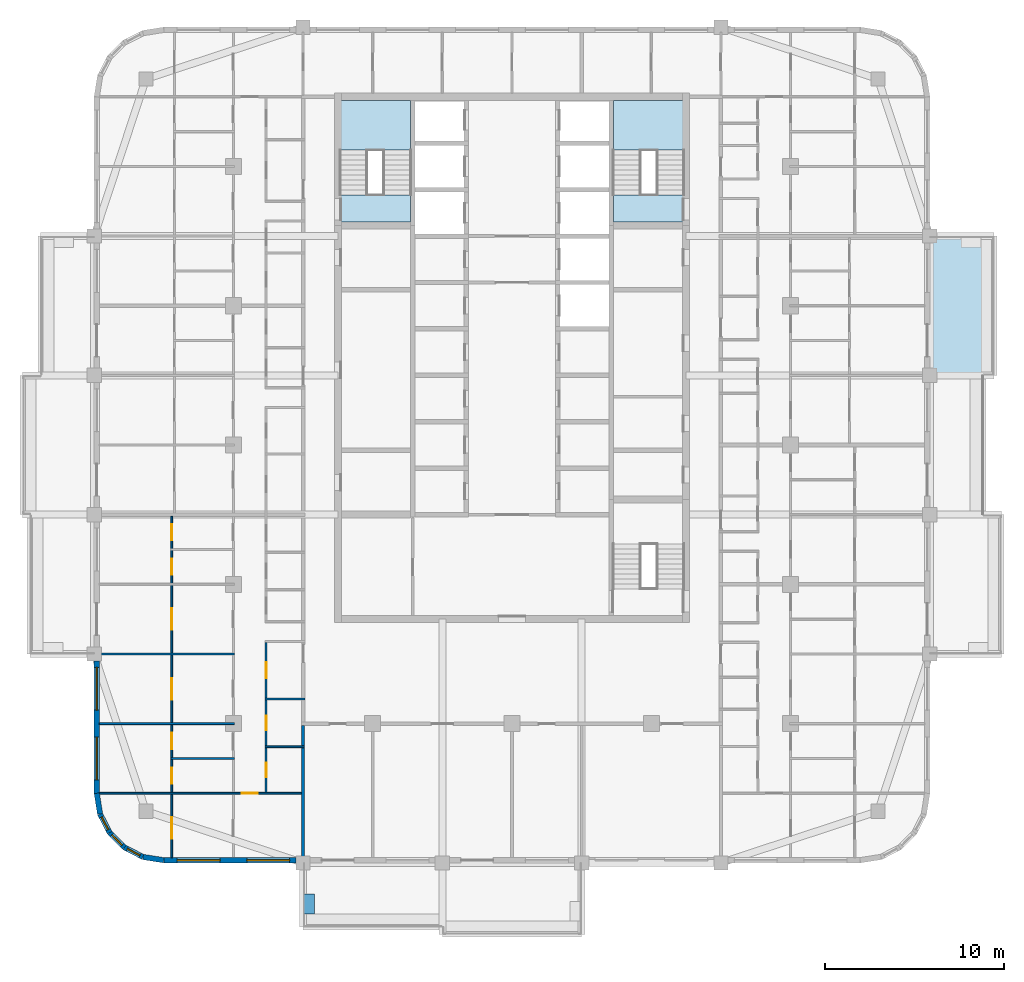
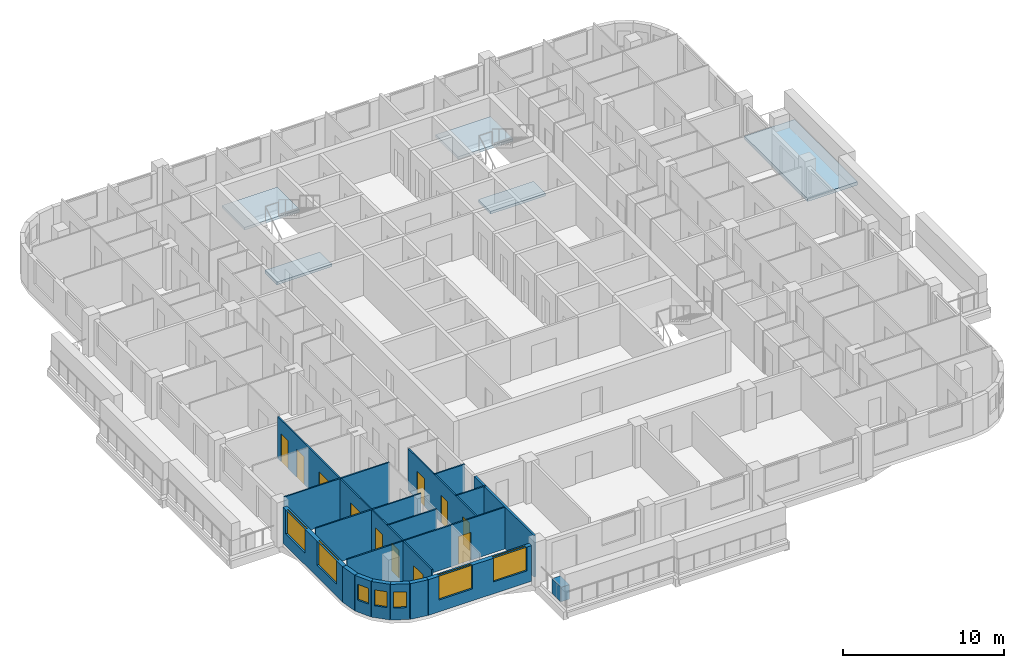
# One storey, part 2 of 16: 17 walls, 11 doors, 7 windows, 5 slabs, 18 openings, 2 elements without a shape of their own.
"""IFC4 building model written with IfcOpenShell, lengths in metres."""

from ifc_helpers import new_model, si_unit, direction, frame, frame_2d, origin, place, context, subcontext, project, spatial, polyline, rectangle, outline, extrude, material, layer, layer_set, type_object, element, fill, aggregate, save


model = new_model("IFC4")

# Units and contexts
model_context = context("Model", 3, precision=1e-05, world=origin(), true_north=direction((0.0, 1.0)))
body_context = subcontext(model_context, "Body", "Model", "MODEL_VIEW")
ifc_project = project(units=[si_unit("LENGTHUNIT", "METRE"), si_unit("AREAUNIT", "SQUARE_METRE"), si_unit("VOLUMEUNIT", "CUBIC_METRE"), si_unit("PLANEANGLEUNIT", "RADIAN"), si_unit("MASSUNIT", "GRAM", prefix="KILO")], contexts=[model_context])

# Site, building, storey
site_placement = place(None, origin())
site = spatial("IfcSite", under=ifc_project, at=site_placement, CompositionType="ELEMENT")
building_placement = place(site_placement, origin())
building = spatial("IfcBuilding", under=site, at=building_placement, Name="Ludao Terraces", CompositionType="ELEMENT")
storey_placement = place(building_placement, frame((0.0, 0.0, 217.699951171875)))
storey = spatial("IfcBuildingStorey", under=building, at=storey_placement, Name="L59", CompositionType="ELEMENT", Elevation=217.699951171875)

# Slab
ifc_material_1 = material(Name="Concrete C40", Category="concrete")
ifc_layer_1 = layer(ifc_material_1, 0.25)
ifc_layer_set_1 = layer_set([ifc_layer_1], Name="Balcony slab 250 C40")
slab_type_1 = type_object("IfcSlabType", Name="Balcony slab 250 C40", PredefinedType="USERDEFINED", material=ifc_layer_set_1)
slab_1_placement = place(storey_placement, frame((0.0, 0.0, -0.25)))
element("IfcSlab", 1, at=slab_1_placement, inside=storey, type_object=slab_type_1, Name="Balcony L59 E3", ObjectType="BALCONY", PredefinedType="USERDEFINED", context=body_context, shape_type="SweptSolid", body=[
    extrude(outline(polyline([(108.39990234375, 68.89990234375), (112.0, 68.89990234375), (112.0, 76.699951171875), (108.39990234375, 76.699951171875), (108.39990234375, 68.89990234375)])), origin(), (0.0, 0.0, 1.0), 0.25),
])

# Stair, slabs
stair_type = type_object("IfcStairType", Name="INT Stair", PredefinedType="HALF_TURN_STAIR", material=ifc_material_1)
stair_1_placement = place(storey_placement, origin())
stair_1 = element("IfcStair", 2, at=stair_1_placement, inside=storey, type_object=stair_type, Name="EXIT STAIR 1", PredefinedType="HALF_TURN_STAIR")
ifc_layer_2 = layer(ifc_material_1, 0.199951171875)
ifc_layer_set_2 = layer_set([ifc_layer_2], Name="INT Stair landing 200")
slab_type_2 = type_object("IfcSlabType", Name="INT Stair landing 200", PredefinedType="LANDING", material=ifc_layer_set_2)
slab_2_placement = place(storey_placement, frame((0.0, 0.0, 1.5)))
slab_2 = element("IfcSlab", 3, at=slab_2_placement, type_object=slab_type_2, Name="ST1 landing 1", PredefinedType="LANDING", context=body_context, shape_type="SweptSolid", body=[
    extrude(outline(polyline([(75.375, 81.52001953125), (79.324951171875, 81.52001953125), (79.324951171875, 84.300048828125), (75.375, 84.300048828125), (75.375, 81.52001953125)])), origin(), (0.0, 0.0, 1.0), 0.199951171875),
])
slab_3_placement = place(storey_placement, frame((0.0, 0.0, -0.199951171875)))
slab_3 = element("IfcSlab", 4, at=slab_3_placement, type_object=slab_type_2, Name="ST1 landing 2", PredefinedType="LANDING", context=body_context, shape_type="SweptSolid", body=[
    extrude(outline(polyline([(75.375, 77.5), (79.324951171875, 77.5), (79.324951171875, 79.0), (75.375, 79.0), (75.375, 77.5)])), origin(), (0.0, 0.0, 1.0), 0.199951171875),
])
aggregate(stair_1, [slab_2, slab_3])

stair_2_placement = place(storey_placement, origin())
stair_2 = element("IfcStair", 5, at=stair_2_placement, inside=storey, type_object=stair_type, Name="EXIT STAIR 2", PredefinedType="HALF_TURN_STAIR")
slab_4_placement = place(storey_placement, frame((0.0, 0.0, 1.5)))
slab_4 = element("IfcSlab", 6, at=slab_4_placement, type_object=slab_type_2, Name="ST2 landing 1", PredefinedType="LANDING", context=body_context, shape_type="SweptSolid", body=[
    extrude(outline(polyline([(90.675048828125, 81.52001953125), (94.625, 81.52001953125), (94.625, 84.300048828125), (90.675048828125, 84.300048828125), (90.675048828125, 81.52001953125)])), origin(), (0.0, 0.0, 1.0), 0.199951171875),
])
slab_5_placement = place(storey_placement, frame((0.0, 0.0, -0.199951171875)))
slab_5 = element("IfcSlab", 7, at=slab_5_placement, type_object=slab_type_2, Name="ST2 landing 2", PredefinedType="LANDING", context=body_context, shape_type="SweptSolid", body=[
    extrude(outline(polyline([(90.675048828125, 77.5), (94.625, 77.5), (94.625, 79.0), (90.675048828125, 79.0), (90.675048828125, 77.5)])), origin(), (0.0, 0.0, 1.0), 0.199951171875),
])
aggregate(stair_2, [slab_4, slab_5])

# Wall
ifc_layer_3 = layer(ifc_material_1, 0.60009765625)
ifc_layer_set_3 = layer_set([ifc_layer_3], Name="ENV Planter trough 600")
wall_type_1 = type_object("IfcWallType", Name="ENV Planter trough 600", PredefinedType="USERDEFINED", material=ifc_layer_set_3)
wall_1_placement = place(storey_placement, frame((73.64990234375, 38.75, 0.0), z_axis=(0.0, 0.0, 1.0), x_axis=(0.0, 1.0, 0.0)))
element("IfcWall", 8, at=wall_1_placement, inside=storey, type_object=wall_type_1, Name="PL-L59-S1-SA", ObjectType="PLANTER", PredefinedType="USERDEFINED", context=body_context, shape_type="SweptSolid", body=[
    extrude(rectangle(XDim=1.10009765625, YDim=0.60009765625, at=frame_2d((0.550048828125, 0.0))), origin(), (0.0, 0.0, 1.0), 1.10009765625),
])

# Wall, openings, windows
ifc_material_2 = material(Name="Granite cladding", Category="masonry")
ifc_layer_4 = layer(ifc_material_2, 0.0400390625, Category="stone")
ifc_material_3 = material(Name="Mineral wool")
ifc_layer_5 = layer(ifc_material_3, 0.06005859375)
ifc_layer_6 = layer(ifc_material_1, 0.199951171875, Category="concrete")
ifc_layer_set_4 = layer_set([ifc_layer_4, ifc_layer_5, ifc_layer_6], Name="ENV Stone-clad wall 300")
wall_type_2 = type_object("IfcWallType", Name="ENV Stone-clad wall 300", PredefinedType="SOLIDWALL", material=ifc_layer_set_4)
wall_2_placement = place(storey_placement, frame((65.5, 41.75, 0.0), z_axis=(0.0, 0.0, 1.0), x_axis=(1.0, 0.0, 0.0)))
wall_2 = element("IfcWall", 9, at=wall_2_placement, inside=storey, type_object=wall_type_2, Name="EW-L59-S1", PredefinedType="SOLIDWALL", context=body_context, shape_type="SweptSolid", body=[
    extrude(rectangle(XDim=7.39990234375, YDim=0.300048828125, at=frame_2d((3.699951171875, 0.0))), origin(), (0.0, 0.0, 1.0), 2.699951171875),
])
opening_1_placement = place(wall_2_placement, frame((0.75, 0.0, 0.89990234375)))
opening_1 = element("IfcOpeningElement", 10, at=opening_1_placement, cuts=wall_2, Name="Opening W1", PredefinedType="OPENING", context=body_context, shape_type="SweptSolid", body=[
    extrude(rectangle(XDim=2.39990234375, YDim=1.800048828125, at=frame_2d((1.199951171875, 0.89990234375))), frame((0.0, 0.16015625, 0.0), z_axis=(0.0, -1.0, 0.0), x_axis=(1.0, 0.0, 0.0)), (0.0, 0.0, 1.0), 0.320068359375),
])
opening_2_placement = place(wall_2_placement, frame((4.64990234375, 0.0, 0.89990234375)))
opening_2 = element("IfcOpeningElement", 11, at=opening_2_placement, cuts=wall_2, Name="Opening W1", PredefinedType="OPENING", context=body_context, shape_type="SweptSolid", body=[
    extrude(rectangle(XDim=2.39990234375, YDim=1.800048828125, at=frame_2d((1.199951171875, 0.89990234375))), frame((0.0, 0.16015625, 0.0), z_axis=(0.0, -1.0, 0.0), x_axis=(1.0, 0.0, 0.0)), (0.0, 0.0, 1.0), 0.320068359375),
])
ifc_material_4 = material(Name="Clear glass in aluminium frame", Category="aluminium")
ifc_layer_7 = layer(ifc_material_4, 0.06005859375)
ifc_layer_set_5 = layer_set([ifc_layer_7], Name="ENV Window W1 2400x1800")
window_type_1 = type_object("IfcWindowType", Name="ENV Window W1 2400x1800", PartitioningType="DOUBLE_PANEL_VERTICAL", PredefinedType="WINDOW", material=ifc_layer_set_5)
window_1_placement = place(opening_1_placement, origin())
window_1 = element("IfcWindow", 12, at=window_1_placement, inside=storey, type_object=window_type_1, Name="W-L59-S1-1", OverallHeight=1.800048828125, OverallWidth=2.39990234375, PartitioningType="DOUBLE_PANEL_VERTICAL", PredefinedType="WINDOW", context=body_context, shape_type="SweptSolid", body=[
    extrude(rectangle(XDim=2.39990234375, YDim=1.800048828125, at=frame_2d((1.199951171875, 0.89990234375))), frame((0.0, 0.030029296875, 0.0), z_axis=(0.0, -1.0, 0.0), x_axis=(1.0, 0.0, 0.0)), (0.0, 0.0, 1.0), 0.06005859375),
])
fill(opening_1, window_1)
window_2_placement = place(opening_2_placement, origin())
window_2 = element("IfcWindow", 13, at=window_2_placement, inside=storey, type_object=window_type_1, Name="W-L59-S1-2", OverallHeight=1.800048828125, OverallWidth=2.39990234375, PartitioningType="DOUBLE_PANEL_VERTICAL", PredefinedType="WINDOW", context=body_context, shape_type="SweptSolid", body=[
    extrude(rectangle(XDim=2.39990234375, YDim=1.800048828125, at=frame_2d((1.199951171875, 0.89990234375))), frame((0.0, 0.030029296875, 0.0), z_axis=(0.0, -1.0, 0.0), x_axis=(1.0, 0.0, 0.0)), (0.0, 0.0, 1.0), 0.06005859375),
])
fill(opening_2, window_2)

wall_3_placement = place(storey_placement, frame((61.75, 45.5, 0.0), z_axis=(0.0, 0.0, 1.0), x_axis=(0.0, 1.0, 0.0)))
wall_3 = element("IfcWall", 14, at=wall_3_placement, inside=storey, type_object=wall_type_2, Name="EW-L59-W1", PredefinedType="SOLIDWALL", context=body_context, shape_type="SweptSolid", body=[
    extrude(rectangle(XDim=7.39990234375, YDim=0.300048828125, at=frame_2d((3.699951171875, 0.0))), origin(), (0.0, 0.0, 1.0), 2.699951171875),
])
opening_3_placement = place(wall_3_placement, frame((0.75, 0.0, 0.89990234375)))
opening_3 = element("IfcOpeningElement", 15, at=opening_3_placement, cuts=wall_3, Name="Opening W1", PredefinedType="OPENING", context=body_context, shape_type="SweptSolid", body=[
    extrude(rectangle(XDim=2.39990234375, YDim=1.800048828125, at=frame_2d((1.199951171875, 0.89990234375))), frame((0.0, 0.16015625, 0.0), z_axis=(0.0, -1.0, 0.0), x_axis=(1.0, 0.0, 0.0)), (0.0, 0.0, 1.0), 0.320068359375),
])
opening_4_placement = place(wall_3_placement, frame((4.64990234375, 0.0, 0.89990234375)))
opening_4 = element("IfcOpeningElement", 16, at=opening_4_placement, cuts=wall_3, Name="Opening W1", PredefinedType="OPENING", context=body_context, shape_type="SweptSolid", body=[
    extrude(rectangle(XDim=2.39990234375, YDim=1.800048828125, at=frame_2d((1.199951171875, 0.89990234375))), frame((0.0, 0.16015625, 0.0), z_axis=(0.0, -1.0, 0.0), x_axis=(1.0, 0.0, 0.0)), (0.0, 0.0, 1.0), 0.320068359375),
])
window_3_placement = place(opening_3_placement, origin())
window_3 = element("IfcWindow", 17, at=window_3_placement, inside=storey, type_object=window_type_1, Name="W-L59-W1-1", OverallHeight=1.800048828125, OverallWidth=2.39990234375, PartitioningType="DOUBLE_PANEL_VERTICAL", PredefinedType="WINDOW", context=body_context, shape_type="SweptSolid", body=[
    extrude(rectangle(XDim=2.39990234375, YDim=1.800048828125, at=frame_2d((1.199951171875, 0.89990234375))), frame((0.0, 0.030029296875, 0.0), z_axis=(0.0, -1.0, 0.0), x_axis=(1.0, 0.0, 0.0)), (0.0, 0.0, 1.0), 0.06005859375),
])
fill(opening_3, window_3)
window_4_placement = place(opening_4_placement, origin())
window_4 = element("IfcWindow", 18, at=window_4_placement, inside=storey, type_object=window_type_1, Name="W-L59-W1-2", OverallHeight=1.800048828125, OverallWidth=2.39990234375, PartitioningType="DOUBLE_PANEL_VERTICAL", PredefinedType="WINDOW", context=body_context, shape_type="SweptSolid", body=[
    extrude(rectangle(XDim=2.39990234375, YDim=1.800048828125, at=frame_2d((1.199951171875, 0.89990234375))), frame((0.0, 0.030029296875, 0.0), z_axis=(0.0, -1.0, 0.0), x_axis=(1.0, 0.0, 0.0)), (0.0, 0.0, 1.0), 0.06005859375),
])
fill(opening_4, window_4)

# Wall
wall_4_placement = place(storey_placement, frame((61.75, 45.5, 0.0), z_axis=(0.0, 0.0, 1.0), x_axis=(0.156496880861, -0.987678452879, 0.0)))
element("IfcWall", 19, at=wall_4_placement, inside=storey, type_object=wall_type_2, Name="EW-L59-SW1", PredefinedType="SOLIDWALL", context=body_context, shape_type="SweptSolid", body=[
    extrude(rectangle(XDim=1.173095703125, YDim=0.300048828125, at=frame_2d((0.58642578125, 0.0))), origin(), (0.0, 0.0, 1.0), 2.699951171875),
])

# Wall, opening, window
wall_5_placement = place(storey_placement, frame((61.93359375, 44.34130859375, 0.0), z_axis=(0.0, 0.0, 1.0), x_axis=(0.454025524128, -0.890988677504, 0.0)))
wall_5 = element("IfcWall", 20, at=wall_5_placement, inside=storey, type_object=wall_type_2, Name="EW-L59-SW2", PredefinedType="SOLIDWALL", context=body_context, shape_type="SweptSolid", body=[
    extrude(rectangle(XDim=1.17333984375, YDim=0.300048828125, at=frame_2d((0.586669921875, 0.0))), origin(), (0.0, 0.0, 1.0), 2.699951171875),
])
opening_5_placement = place(wall_5_placement, frame((0.1865234375, 0.0, 0.89990234375)))
opening_5 = element("IfcOpeningElement", 21, at=opening_5_placement, cuts=wall_5, Name="Opening W3", PredefinedType="OPENING", context=body_context, shape_type="SweptSolid", body=[
    extrude(rectangle(XDim=0.800048828125, YDim=1.199951171875, at=frame_2d((0.39990234375, 0.60009765625))), frame((0.0, 0.16015625, 0.0), z_axis=(0.0, -1.0, 0.0), x_axis=(1.0, 0.0, 0.0)), (0.0, 0.0, 1.0), 0.320068359375),
])
ifc_layer_8 = layer(ifc_material_4, 0.06005859375)
ifc_layer_set_6 = layer_set([ifc_layer_8], Name="ENV Window W3 800x1200")
window_type_2 = type_object("IfcWindowType", Name="ENV Window W3 800x1200", PartitioningType="SINGLE_PANEL", PredefinedType="WINDOW", material=ifc_layer_set_6)
window_5_placement = place(opening_5_placement, origin())
window_5 = element("IfcWindow", 22, at=window_5_placement, inside=storey, type_object=window_type_2, Name="W-L59-SW2", OverallHeight=1.199951171875, OverallWidth=0.800048828125, PartitioningType="SINGLE_PANEL", PredefinedType="WINDOW", context=body_context, shape_type="SweptSolid", body=[
    extrude(rectangle(XDim=0.800048828125, YDim=1.199951171875, at=frame_2d((0.39990234375, 0.60009765625))), frame((0.0, 0.030029296875, 0.0), z_axis=(0.0, -1.0, 0.0), x_axis=(1.0, 0.0, 0.0)), (0.0, 0.0, 1.0), 0.06005859375),
])
fill(opening_5, window_5)

wall_6_placement = place(storey_placement, frame((62.46630859375, 43.2958984375, 0.0), z_axis=(0.0, 0.0, 1.0), x_axis=(0.707106781187, -0.707106781187, 0.0)))
wall_6 = element("IfcWall", 23, at=wall_6_placement, inside=storey, type_object=wall_type_2, Name="EW-L59-SW3", PredefinedType="SOLIDWALL", context=body_context, shape_type="SweptSolid", body=[
    extrude(rectangle(XDim=1.173095703125, YDim=0.300048828125, at=frame_2d((0.58642578125, 0.0))), origin(), (0.0, 0.0, 1.0), 2.699951171875),
])
opening_6_placement = place(wall_6_placement, frame((0.1865234375, 0.0, 0.89990234375)))
opening_6 = element("IfcOpeningElement", 24, at=opening_6_placement, cuts=wall_6, Name="Opening W3", PredefinedType="OPENING", context=body_context, shape_type="SweptSolid", body=[
    extrude(rectangle(XDim=0.800048828125, YDim=1.199951171875, at=frame_2d((0.39990234375, 0.60009765625))), frame((0.0, 0.16015625, 0.0), z_axis=(0.0, -1.0, 0.0), x_axis=(1.0, 0.0, 0.0)), (0.0, 0.0, 1.0), 0.320068359375),
])
window_6_placement = place(opening_6_placement, origin())
window_6 = element("IfcWindow", 25, at=window_6_placement, inside=storey, type_object=window_type_2, Name="W-L59-SW3", OverallHeight=1.199951171875, OverallWidth=0.800048828125, PartitioningType="SINGLE_PANEL", PredefinedType="WINDOW", context=body_context, shape_type="SweptSolid", body=[
    extrude(rectangle(XDim=0.800048828125, YDim=1.199951171875, at=frame_2d((0.39990234375, 0.60009765625))), frame((0.0, 0.030029296875, 0.0), z_axis=(0.0, -1.0, 0.0), x_axis=(1.0, 0.0, 0.0)), (0.0, 0.0, 1.0), 0.06005859375),
])
fill(opening_6, window_6)

wall_7_placement = place(storey_placement, frame((63.2958984375, 42.46630859375, 0.0), z_axis=(0.0, 0.0, 1.0), x_axis=(0.890988677504, -0.454025524128, 0.0)))
wall_7 = element("IfcWall", 26, at=wall_7_placement, inside=storey, type_object=wall_type_2, Name="EW-L59-SW4", PredefinedType="SOLIDWALL", context=body_context, shape_type="SweptSolid", body=[
    extrude(rectangle(XDim=1.17333984375, YDim=0.300048828125, at=frame_2d((0.586669921875, 0.0))), origin(), (0.0, 0.0, 1.0), 2.699951171875),
])
opening_7_placement = place(wall_7_placement, frame((0.1865234375, 0.0, 0.89990234375)))
opening_7 = element("IfcOpeningElement", 27, at=opening_7_placement, cuts=wall_7, Name="Opening W3", PredefinedType="OPENING", context=body_context, shape_type="SweptSolid", body=[
    extrude(rectangle(XDim=0.800048828125, YDim=1.199951171875, at=frame_2d((0.39990234375, 0.60009765625))), frame((0.0, 0.16015625, 0.0), z_axis=(0.0, -1.0, 0.0), x_axis=(1.0, 0.0, 0.0)), (0.0, 0.0, 1.0), 0.320068359375),
])
window_7_placement = place(opening_7_placement, origin())
window_7 = element("IfcWindow", 28, at=window_7_placement, inside=storey, type_object=window_type_2, Name="W-L59-SW4", OverallHeight=1.199951171875, OverallWidth=0.800048828125, PartitioningType="SINGLE_PANEL", PredefinedType="WINDOW", context=body_context, shape_type="SweptSolid", body=[
    extrude(rectangle(XDim=0.800048828125, YDim=1.199951171875, at=frame_2d((0.39990234375, 0.60009765625))), frame((0.0, 0.030029296875, 0.0), z_axis=(0.0, -1.0, 0.0), x_axis=(1.0, 0.0, 0.0)), (0.0, 0.0, 1.0), 0.06005859375),
])
fill(opening_7, window_7)

# Wall
wall_8_placement = place(storey_placement, frame((64.34130859375, 41.93359375, 0.0), z_axis=(0.0, 0.0, 1.0), x_axis=(0.987678452879, -0.156496880861, 0.0)))
element("IfcWall", 29, at=wall_8_placement, inside=storey, type_object=wall_type_2, Name="EW-L59-SW5", PredefinedType="SOLIDWALL", context=body_context, shape_type="SweptSolid", body=[
    extrude(rectangle(XDim=1.173095703125, YDim=0.300048828125, at=frame_2d((0.58642578125, 0.0))), origin(), (0.0, 0.0, 1.0), 2.699951171875),
])

# Wall, opening, door
ifc_material_5 = material(Name="Gypsum plasterboard", Category="gypsum")
ifc_layer_9 = layer(ifc_material_5, 0.012451171875, Category="gypsum")
ifc_layer_10 = layer(ifc_material_3, 0.06005859375, Name="insulation")
ifc_material_6 = material(Name="Steel Q235", Category="steel")
ifc_layer_11 = layer(ifc_material_6, 0.014892578125, Name="stud")
ifc_layer_12 = layer(ifc_material_5, 0.012451171875, Category="gypsum")
ifc_layer_set_7 = layer_set([ifc_layer_9, ifc_layer_10, ifc_layer_11, ifc_layer_12], Name="INT Partition 100")
wall_type_3 = type_object("IfcWallType", Name="INT Partition 100", PredefinedType="PARTITIONING", material=ifc_layer_set_7)
wall_9_placement = place(storey_placement, frame((61.900146484375, 45.5, 0.0), z_axis=(0.0, 0.0, 1.0), x_axis=(1.0, 0.0, 0.0)))
wall_9 = element("IfcWall", 30, at=wall_9_placement, inside=storey, type_object=wall_type_3, Name="PW-L59-PW000", PredefinedType="PARTITIONING", context=body_context, shape_type="SweptSolid", body=[
    extrude(rectangle(XDim=11.474853515625, YDim=0.10009765625, at=frame_2d((5.7373046875, 0.0))), origin(), (0.0, 0.0, 1.0), 3.150146484375),
])
opening_8_placement = place(wall_9_placement, frame((7.965087890625, 0.0, 0.0)))
opening_8 = element("IfcOpeningElement", 31, at=opening_8_placement, cuts=wall_9, Name="Opening R21-005", PredefinedType="OPENING", context=body_context, shape_type="SweptSolid", body=[
    extrude(rectangle(XDim=0.89990234375, YDim=2.10009765625, at=frame_2d((0.449951171875, 1.050048828125))), frame((0.0, 0.06005859375, 0.0), z_axis=(0.0, -1.0, 0.0), x_axis=(1.0, 0.0, 0.0)), (0.0, 0.0, 1.0), 0.1201171875),
])
ifc_material_7 = material(Name="Timber door leaf", Category="wood")
door_type_1 = type_object("IfcDoorType", Name="INT Room door 900", OperationType="SINGLE_SWING_LEFT", PredefinedType="DOOR", material=ifc_material_7)
door_1_placement = place(opening_8_placement, origin())
door_1 = element("IfcDoor", 32, at=door_1_placement, inside=storey, type_object=door_type_1, Name="DOOR 005", OperationType="SINGLE_SWING_LEFT", OverallHeight=2.10009765625, OverallWidth=0.89990234375, PredefinedType="DOOR", context=body_context, shape_type="SweptSolid", body=[
    extrude(rectangle(XDim=0.89990234375, YDim=2.10009765625, at=frame_2d((0.449951171875, 1.050048828125))), frame((0.0, 0.02490234375, 0.0), z_axis=(0.0, -1.0, 0.0), x_axis=(1.0, 0.0, 0.0)), (0.0, 0.0, 1.0), 0.050048828125),
])
fill(opening_8, door_1)

# Walls
wall_10_placement = place(storey_placement, frame((65.900146484375, 47.449951171875, 0.0), z_axis=(0.0, 0.0, 1.0), x_axis=(1.0, 0.0, 0.0)))
element("IfcWall", 33, at=wall_10_placement, inside=storey, type_object=wall_type_3, Name="PW-L59-PW002", PredefinedType="PARTITIONING", context=body_context, shape_type="SweptSolid", body=[
    extrude(rectangle(XDim=3.550048828125, YDim=0.10009765625, at=frame_2d((1.77490234375, 0.0))), origin(), (0.0, 0.0, 1.0), 3.150146484375),
])
wall_11_placement = place(storey_placement, frame((71.18017578125, 48.10009765625, 0.0), z_axis=(0.0, 0.0, 1.0), x_axis=(1.0, 0.0, 0.0)))
element("IfcWall", 34, at=wall_11_placement, inside=storey, type_object=wall_type_3, Name="PW-L59-PW004", PredefinedType="PARTITIONING", context=body_context, shape_type="SweptSolid", body=[
    extrude(rectangle(XDim=2.19482421875, YDim=0.10009765625, at=frame_2d((1.097412109375, 0.0))), origin(), (0.0, 0.0, 1.0), 3.150146484375),
])
wall_12_placement = place(storey_placement, frame((61.900146484375, 49.39990234375, 0.0), z_axis=(0.0, 0.0, 1.0), x_axis=(1.0, 0.0, 0.0)))
element("IfcWall", 35, at=wall_12_placement, inside=storey, type_object=wall_type_3, Name="PW-L59-PW006", PredefinedType="PARTITIONING", context=body_context, shape_type="SweptSolid", body=[
    extrude(rectangle(XDim=7.550048828125, YDim=0.10009765625, at=frame_2d((3.77490234375, 0.0))), origin(), (0.0, 0.0, 1.0), 3.150146484375),
])
wall_13_placement = place(storey_placement, frame((71.18017578125, 50.780029296875, 0.0), z_axis=(0.0, 0.0, 1.0), x_axis=(1.0, 0.0, 0.0)))
element("IfcWall", 36, at=wall_13_placement, inside=storey, type_object=wall_type_3, Name="PW-L59-PW010", PredefinedType="PARTITIONING", context=body_context, shape_type="SweptSolid", body=[
    extrude(rectangle(XDim=2.219970703125, YDim=0.10009765625, at=frame_2d((1.10986328125, 0.0))), origin(), (0.0, 0.0, 1.0), 3.150146484375),
])
wall_14_placement = place(storey_placement, frame((61.900146484375, 53.300048828125, 0.0), z_axis=(0.0, 0.0, 1.0), x_axis=(1.0, 0.0, 0.0)))
element("IfcWall", 37, at=wall_14_placement, inside=storey, type_object=wall_type_3, Name="PW-L59-PW012", PredefinedType="PARTITIONING", context=body_context, shape_type="SweptSolid", body=[
    extrude(rectangle(XDim=7.550048828125, YDim=0.10009765625, at=frame_2d((3.77490234375, 0.0))), origin(), (0.0, 0.0, 1.0), 3.150146484375),
])

# Wall, openings, doors
wall_15_placement = place(storey_placement, frame((65.949951171875, 41.900146484375, 0.0), z_axis=(0.0, 0.0, 1.0), x_axis=(0.0, 1.0, 0.0)))
wall_15 = element("IfcWall", 38, at=wall_15_placement, inside=storey, type_object=wall_type_3, Name="PW-L59-PW070", PredefinedType="PARTITIONING", context=body_context, shape_type="SweptSolid", body=[
    extrude(rectangle(XDim=19.099853515625, YDim=0.10009765625, at=frame_2d((9.5498046875, 0.0))), origin(), (0.0, 0.0, 1.0), 3.150146484375),
])
opening_9_placement = place(wall_15_placement, frame((1.050048828125, 0.0, 0.0)))
opening_9 = element("IfcOpeningElement", 39, at=opening_9_placement, cuts=wall_15, Name="Opening R21-001", PredefinedType="OPENING", context=body_context, shape_type="SweptSolid", body=[
    extrude(rectangle(XDim=1.199951171875, YDim=2.10009765625, at=frame_2d((0.60009765625, 1.050048828125))), frame((0.0, 0.06005859375, 0.0), z_axis=(0.0, -1.0, 0.0), x_axis=(1.0, 0.0, 0.0)), (0.0, 0.0, 1.0), 0.1201171875),
])
opening_10_placement = place(wall_15_placement, frame((4.125, 0.0, 0.0)))
opening_10 = element("IfcOpeningElement", 40, at=opening_10_placement, cuts=wall_15, Name="Opening R21-007", PredefinedType="OPENING", context=body_context, shape_type="SweptSolid", body=[
    extrude(rectangle(XDim=0.89990234375, YDim=2.10009765625, at=frame_2d((0.449951171875, 1.050048828125))), frame((0.0, 0.06005859375, 0.0), z_axis=(0.0, -1.0, 0.0), x_axis=(1.0, 0.0, 0.0)), (0.0, 0.0, 1.0), 0.1201171875),
])
opening_11_placement = place(wall_15_placement, frame((6.074951171875, 0.0, 0.0)))
opening_11 = element("IfcOpeningElement", 41, at=opening_11_placement, cuts=wall_15, Name="Opening R21-013", PredefinedType="OPENING", context=body_context, shape_type="SweptSolid", body=[
    extrude(rectangle(XDim=0.89990234375, YDim=2.10009765625, at=frame_2d((0.449951171875, 1.050048828125))), frame((0.0, 0.06005859375, 0.0), z_axis=(0.0, -1.0, 0.0), x_axis=(1.0, 0.0, 0.0)), (0.0, 0.0, 1.0), 0.1201171875),
])
opening_12_placement = place(wall_15_placement, frame((8.85009765625, 0.0, 0.0)))
opening_12 = element("IfcOpeningElement", 42, at=opening_12_placement, cuts=wall_15, Name="Opening R21-022", PredefinedType="OPENING", context=body_context, shape_type="SweptSolid", body=[
    extrude(rectangle(XDim=1.199951171875, YDim=2.10009765625, at=frame_2d((0.60009765625, 1.050048828125))), frame((0.0, 0.06005859375, 0.0), z_axis=(0.0, -1.0, 0.0), x_axis=(1.0, 0.0, 0.0)), (0.0, 0.0, 1.0), 0.1201171875),
])
opening_13_placement = place(wall_15_placement, frame((12.75, 0.0, 0.0)))
opening_13 = element("IfcOpeningElement", 43, at=opening_13_placement, cuts=wall_15, Name="Opening R21-031", PredefinedType="OPENING", context=body_context, shape_type="SweptSolid", body=[
    extrude(rectangle(XDim=1.199951171875, YDim=2.10009765625, at=frame_2d((0.60009765625, 1.050048828125))), frame((0.0, 0.06005859375, 0.0), z_axis=(0.0, -1.0, 0.0), x_axis=(1.0, 0.0, 0.0)), (0.0, 0.0, 1.0), 0.1201171875),
])
opening_14_placement = place(wall_15_placement, frame((15.824951171875, 0.0, 0.0)))
opening_14 = element("IfcOpeningElement", 44, at=opening_14_placement, cuts=wall_15, Name="Opening R21-043", PredefinedType="OPENING", context=body_context, shape_type="SweptSolid", body=[
    extrude(rectangle(XDim=0.89990234375, YDim=2.10009765625, at=frame_2d((0.449951171875, 1.050048828125))), frame((0.0, 0.06005859375, 0.0), z_axis=(0.0, -1.0, 0.0), x_axis=(1.0, 0.0, 0.0)), (0.0, 0.0, 1.0), 0.1201171875),
])
opening_15_placement = place(wall_15_placement, frame((17.77490234375, 0.0, 0.0)))
opening_15 = element("IfcOpeningElement", 45, at=opening_15_placement, cuts=wall_15, Name="Opening R21-047", PredefinedType="OPENING", context=body_context, shape_type="SweptSolid", body=[
    extrude(rectangle(XDim=0.89990234375, YDim=2.10009765625, at=frame_2d((0.449951171875, 1.050048828125))), frame((0.0, 0.06005859375, 0.0), z_axis=(0.0, -1.0, 0.0), x_axis=(1.0, 0.0, 0.0)), (0.0, 0.0, 1.0), 0.1201171875),
])
door_type_2 = type_object("IfcDoorType", Name="INT Bathroom door 900", OperationType="SINGLE_SWING_LEFT", PredefinedType="DOOR", material=ifc_material_7)
door_2_placement = place(opening_10_placement, origin())
door_2 = element("IfcDoor", 46, at=door_2_placement, inside=storey, type_object=door_type_2, Name="DOOR 007", OperationType="SINGLE_SWING_LEFT", OverallHeight=2.10009765625, OverallWidth=0.89990234375, PredefinedType="DOOR", context=body_context, shape_type="SweptSolid", body=[
    extrude(rectangle(XDim=0.89990234375, YDim=2.10009765625, at=frame_2d((0.449951171875, 1.050048828125))), frame((0.0, 0.02490234375, 0.0), z_axis=(0.0, -1.0, 0.0), x_axis=(1.0, 0.0, 0.0)), (0.0, 0.0, 1.0), 0.050048828125),
])
fill(opening_10, door_2)
door_3_placement = place(opening_14_placement, origin())
door_3 = element("IfcDoor", 47, at=door_3_placement, inside=storey, type_object=door_type_2, Name="DOOR 043", OperationType="SINGLE_SWING_LEFT", OverallHeight=2.10009765625, OverallWidth=0.89990234375, PredefinedType="DOOR", context=body_context, shape_type="SweptSolid", body=[
    extrude(rectangle(XDim=0.89990234375, YDim=2.10009765625, at=frame_2d((0.449951171875, 1.050048828125))), frame((0.0, 0.02490234375, 0.0), z_axis=(0.0, -1.0, 0.0), x_axis=(1.0, 0.0, 0.0)), (0.0, 0.0, 1.0), 0.050048828125),
])
fill(opening_14, door_3)
door_type_3 = type_object("IfcDoorType", Name="INT Double door 1200", OperationType="DOUBLE_DOOR_SINGLE_SWING", PredefinedType="DOOR", material=ifc_material_7)
door_4_placement = place(opening_9_placement, origin())
door_4 = element("IfcDoor", 48, at=door_4_placement, inside=storey, type_object=door_type_3, Name="DOOR 001", OperationType="DOUBLE_DOOR_SINGLE_SWING", OverallHeight=2.10009765625, OverallWidth=1.199951171875, PredefinedType="DOOR", context=body_context, shape_type="SweptSolid", body=[
    extrude(rectangle(XDim=1.199951171875, YDim=2.10009765625, at=frame_2d((0.60009765625, 1.050048828125))), frame((0.0, 0.02490234375, 0.0), z_axis=(0.0, -1.0, 0.0), x_axis=(1.0, 0.0, 0.0)), (0.0, 0.0, 1.0), 0.050048828125),
])
fill(opening_9, door_4)
door_5_placement = place(opening_12_placement, origin())
door_5 = element("IfcDoor", 49, at=door_5_placement, inside=storey, type_object=door_type_3, Name="DOOR 022", OperationType="DOUBLE_DOOR_SINGLE_SWING", OverallHeight=2.10009765625, OverallWidth=1.199951171875, PredefinedType="DOOR", context=body_context, shape_type="SweptSolid", body=[
    extrude(rectangle(XDim=1.199951171875, YDim=2.10009765625, at=frame_2d((0.60009765625, 1.050048828125))), frame((0.0, 0.02490234375, 0.0), z_axis=(0.0, -1.0, 0.0), x_axis=(1.0, 0.0, 0.0)), (0.0, 0.0, 1.0), 0.050048828125),
])
fill(opening_12, door_5)
door_6_placement = place(opening_13_placement, origin())
door_6 = element("IfcDoor", 50, at=door_6_placement, inside=storey, type_object=door_type_3, Name="DOOR 031", OperationType="DOUBLE_DOOR_SINGLE_SWING", OverallHeight=2.10009765625, OverallWidth=1.199951171875, PredefinedType="DOOR", context=body_context, shape_type="SweptSolid", body=[
    extrude(rectangle(XDim=1.199951171875, YDim=2.10009765625, at=frame_2d((0.60009765625, 1.050048828125))), frame((0.0, 0.02490234375, 0.0), z_axis=(0.0, -1.0, 0.0), x_axis=(1.0, 0.0, 0.0)), (0.0, 0.0, 1.0), 0.050048828125),
])
fill(opening_13, door_6)
door_7_placement = place(opening_11_placement, origin())
door_7 = element("IfcDoor", 51, at=door_7_placement, inside=storey, type_object=door_type_1, Name="DOOR 013", OperationType="SINGLE_SWING_RIGHT", OverallHeight=2.10009765625, OverallWidth=0.89990234375, PredefinedType="DOOR", context=body_context, shape_type="SweptSolid", body=[
    extrude(rectangle(XDim=0.89990234375, YDim=2.10009765625, at=frame_2d((0.449951171875, 1.050048828125))), frame((0.0, 0.02490234375, 0.0), z_axis=(0.0, -1.0, 0.0), x_axis=(1.0, 0.0, 0.0)), (0.0, 0.0, 1.0), 0.050048828125),
])
fill(opening_11, door_7)
door_8_placement = place(opening_15_placement, origin())
door_8 = element("IfcDoor", 52, at=door_8_placement, inside=storey, type_object=door_type_1, Name="DOOR 047", OperationType="SINGLE_SWING_LEFT", OverallHeight=2.10009765625, OverallWidth=0.89990234375, PredefinedType="DOOR", context=body_context, shape_type="SweptSolid", body=[
    extrude(rectangle(XDim=0.89990234375, YDim=2.10009765625, at=frame_2d((0.449951171875, 1.050048828125))), frame((0.0, 0.02490234375, 0.0), z_axis=(0.0, -1.0, 0.0), x_axis=(1.0, 0.0, 0.0)), (0.0, 0.0, 1.0), 0.050048828125),
])
fill(opening_15, door_8)

wall_16_placement = place(storey_placement, frame((71.22998046875, 45.550048828125, 0.0), z_axis=(0.0, 0.0, 1.0), x_axis=(0.0, 1.0, 0.0)))
wall_16 = element("IfcWall", 53, at=wall_16_placement, inside=storey, type_object=wall_type_3, Name="PW-L59-PW073", PredefinedType="PARTITIONING", context=body_context, shape_type="SweptSolid", body=[
    extrude(rectangle(XDim=8.400146484375, YDim=0.10009765625, at=frame_2d((4.2001953125, 0.0))), origin(), (0.0, 0.0, 1.0), 3.150146484375),
])
opening_16_placement = place(wall_16_placement, frame((0.85009765625, 0.0, 0.0)))
opening_16 = element("IfcOpeningElement", 54, at=opening_16_placement, cuts=wall_16, Name="Opening R21-009", PredefinedType="OPENING", context=body_context, shape_type="SweptSolid", body=[
    extrude(rectangle(XDim=0.800048828125, YDim=2.10009765625, at=frame_2d((0.39990234375, 1.050048828125))), frame((0.0, 0.06005859375, 0.0), z_axis=(0.0, -1.0, 0.0), x_axis=(1.0, 0.0, 0.0)), (0.0, 0.0, 1.0), 0.1201171875),
])
opening_17_placement = place(wall_16_placement, frame((3.489990234375, 0.0, 0.0)))
opening_17 = element("IfcOpeningElement", 55, at=opening_17_placement, cuts=wall_16, Name="Opening R21-020", PredefinedType="OPENING", context=body_context, shape_type="SweptSolid", body=[
    extrude(rectangle(XDim=0.800048828125, YDim=2.10009765625, at=frame_2d((0.39990234375, 1.050048828125))), frame((0.0, 0.06005859375, 0.0), z_axis=(0.0, -1.0, 0.0), x_axis=(1.0, 0.0, 0.0)), (0.0, 0.0, 1.0), 0.1201171875),
])
opening_18_placement = place(wall_16_placement, frame((6.389892578125, 0.0, 0.0)))
opening_18 = element("IfcOpeningElement", 56, at=opening_18_placement, cuts=wall_16, Name="Opening R21-026", PredefinedType="OPENING", context=body_context, shape_type="SweptSolid", body=[
    extrude(rectangle(XDim=0.89990234375, YDim=2.10009765625, at=frame_2d((0.449951171875, 1.050048828125))), frame((0.0, 0.06005859375, 0.0), z_axis=(0.0, -1.0, 0.0), x_axis=(1.0, 0.0, 0.0)), (0.0, 0.0, 1.0), 0.1201171875),
])
door_9_placement = place(opening_18_placement, origin())
door_9 = element("IfcDoor", 57, at=door_9_placement, inside=storey, type_object=door_type_1, Name="DOOR 026", OperationType="SINGLE_SWING_RIGHT", OverallHeight=2.10009765625, OverallWidth=0.89990234375, PredefinedType="DOOR", context=body_context, shape_type="SweptSolid", body=[
    extrude(rectangle(XDim=0.89990234375, YDim=2.10009765625, at=frame_2d((0.449951171875, 1.050048828125))), frame((0.0, 0.02490234375, 0.0), z_axis=(0.0, -1.0, 0.0), x_axis=(1.0, 0.0, 0.0)), (0.0, 0.0, 1.0), 0.050048828125),
])
fill(opening_18, door_9)
door_type_4 = type_object("IfcDoorType", Name="INT Store door 800", OperationType="SINGLE_SWING_LEFT", PredefinedType="DOOR", material=ifc_material_7)
door_10_placement = place(opening_16_placement, origin())
door_10 = element("IfcDoor", 58, at=door_10_placement, inside=storey, type_object=door_type_4, Name="DOOR 009", OperationType="SINGLE_SWING_LEFT", OverallHeight=2.10009765625, OverallWidth=0.800048828125, PredefinedType="DOOR", context=body_context, shape_type="SweptSolid", body=[
    extrude(rectangle(XDim=0.800048828125, YDim=2.10009765625, at=frame_2d((0.39990234375, 1.050048828125))), frame((0.0, 0.02490234375, 0.0), z_axis=(0.0, -1.0, 0.0), x_axis=(1.0, 0.0, 0.0)), (0.0, 0.0, 1.0), 0.050048828125),
])
fill(opening_16, door_10)
door_11_placement = place(opening_17_placement, origin())
door_11 = element("IfcDoor", 59, at=door_11_placement, inside=storey, type_object=door_type_4, Name="DOOR 020", OperationType="SINGLE_SWING_RIGHT", OverallHeight=2.10009765625, OverallWidth=0.800048828125, PredefinedType="DOOR", context=body_context, shape_type="SweptSolid", body=[
    extrude(rectangle(XDim=0.800048828125, YDim=2.10009765625, at=frame_2d((0.39990234375, 1.050048828125))), frame((0.0, 0.02490234375, 0.0), z_axis=(0.0, -1.0, 0.0), x_axis=(1.0, 0.0, 0.0)), (0.0, 0.0, 1.0), 0.050048828125),
])
fill(opening_17, door_11)

# Wall
ifc_material_8 = material(Name="Autoclaved aerated concrete block B06 A3.5", Category="concrete")
ifc_layer_13 = layer(ifc_material_8, 0.14990234375)
ifc_layer_set_8 = layer_set([ifc_layer_13], Name="INT Party wall 150")
wall_type_4 = type_object("IfcWallType", Name="INT Party wall 150", PredefinedType="PARTITIONING", material=ifc_layer_set_8)
wall_17_placement = place(storey_placement, frame((73.300048828125, 41.900146484375, 0.0), z_axis=(0.0, 0.0, 1.0), x_axis=(0.0, 1.0, 0.0)))
element("IfcWall", 60, at=wall_17_placement, inside=storey, type_object=wall_type_4, Name="PW-L59-PW077", PredefinedType="PARTITIONING", context=body_context, shape_type="SweptSolid", body=[
    extrude(rectangle(XDim=7.39990234375, YDim=0.14990234375, at=frame_2d((3.699951171875, 0.0))), origin(), (0.0, 0.0, 1.0), 3.150146484375),
])

save(model, "model.ifc")
